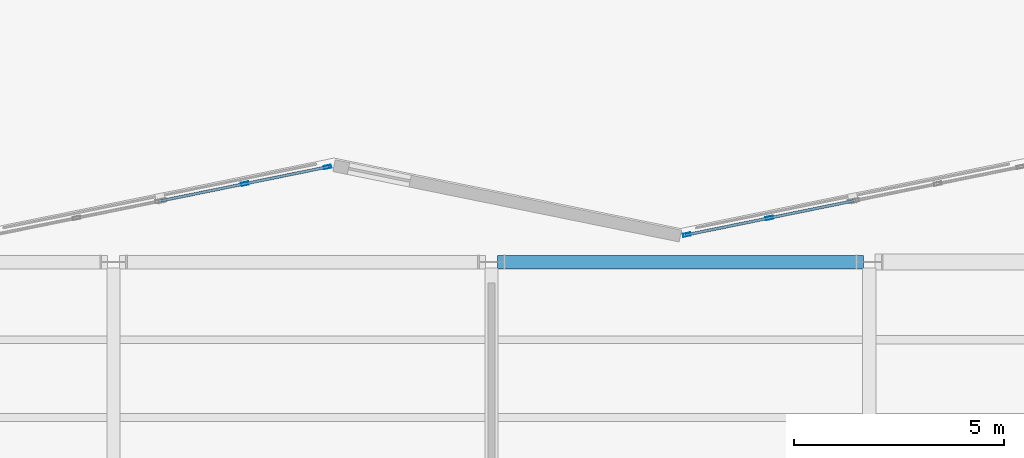
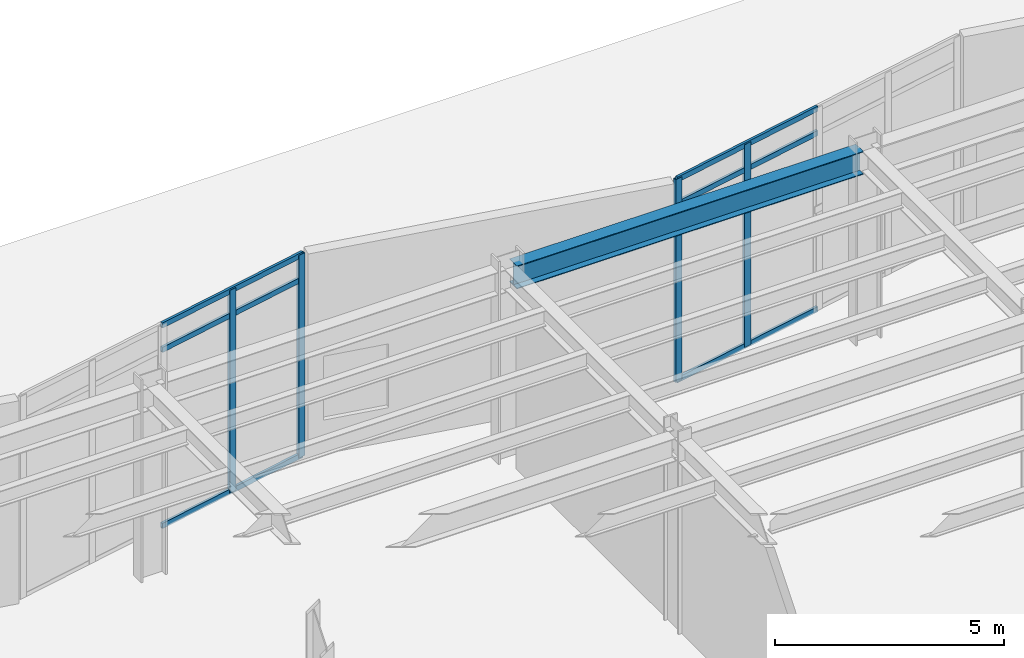
# One storey, part 58 of 94: 10 members, 1 beam, 2 elements without a shape of their own.
"""IFC4 building model written with IfcOpenShell, lengths in metres."""

from ifc_helpers import new_model, si_unit, direction, frame, origin, origin_2d, place, context, subcontext, project, spatial, hollow_rectangle, i_section, extrude, material, layer, layer_set, material_profile, profile_set, type_object, element, aggregate, save


model = new_model("IFC4")

# Units and contexts
model_context = context("Model", 3, precision=1e-05, world=origin(), true_north=direction((0.0, 1.0)))
body_context = subcontext(model_context, "Body", "Model", "MODEL_VIEW")
ifc_project = project(units=[si_unit("LENGTHUNIT", "METRE"), si_unit("AREAUNIT", "SQUARE_METRE"), si_unit("VOLUMEUNIT", "CUBIC_METRE"), si_unit("PLANEANGLEUNIT", "RADIAN"), si_unit("MASSUNIT", "GRAM", prefix="KILO")], contexts=[model_context])

# Site, building, storey
site_placement = place(None, origin())
site = spatial("IfcSite", under=ifc_project, at=site_placement, CompositionType="ELEMENT")
building_placement = place(site_placement, origin())
building = spatial("IfcBuilding", under=site, at=building_placement, Name="Sollismere Congress Hotel", CompositionType="ELEMENT")
storey_placement = place(building_placement, origin())
storey = spatial("IfcBuildingStorey", under=building, at=storey_placement, Name="L00", CompositionType="ELEMENT", Elevation=0.0)

# Beam
ifc_material_1 = material(Name="Steel ASTM A992 Grade 50", Category="steel")
ifc_material_profile_1 = material_profile(ifc_material_1, i_section(OverallWidth=0.324951171875, OverallDepth=0.612060546875, WebThickness=0.0126953125, FlangeThickness=0.01904296875, at=origin_2d()), Name="W24X104")
ifc_profile_set_1 = profile_set([ifc_material_profile_1], Name="Steel ASTM A992 Grade 50")
beam_type = type_object("IfcBeamType", Name="BM-G24", PredefinedType="BEAM", material=ifc_profile_set_1)
beam_placement = place(storey_placement, frame((103.139892578125, 102.39990234375, 4.80908203125), z_axis=(1.0, 0.0, 0.0), x_axis=(0.0, 1.0, 0.0)))
element("IfcBeam", 1, at=beam_placement, inside=storey, type_object=beam_type, Name="Beam BM-L00-1221", PredefinedType="BEAM", context=body_context, shape_type="SweptSolid", body=[
    extrude(i_section(OverallWidth=0.324951171875, OverallDepth=0.612060546875, WebThickness=0.0126953125, FlangeThickness=0.01904296875, at=origin_2d()), origin(), (0.0, 0.0, 1.0), 8.72021484375),
])

# Curtain wall, members
ifc_material_2 = material(Name="Anodized Bronze Curtain Wall & Low-E Triple Glazing", Category="glass")
ifc_layer = layer(ifc_material_2, 0.199951171875, Name="Anodized Bronze Curtain Wall & Low-E Triple Glazing")
ifc_layer_set = layer_set([ifc_layer], Name="Anodized Bronze Curtain Wall & Low-E Triple Glazing")
curtain_wall_type = type_object("IfcCurtainWallType", Name="CW-GLZ36", PredefinedType="USERDEFINED", material=ifc_layer_set)
curtain_wall_1_placement = place(storey_placement, origin())
curtain_wall_1 = element("IfcCurtainWall", 2, at=curtain_wall_1_placement, inside=storey, type_object=curtain_wall_type, Name="Unitised curtain wall CW-L00-070", ObjectType="UNITISED CURTAIN WALL", PredefinedType="USERDEFINED")
ifc_material_3 = material(Name="Anodized Aluminum 6063-T6", Category="aluminium")
ifc_material_profile_2 = material_profile(ifc_material_3, hollow_rectangle(XDim=0.074951171875, YDim=0.179931640625, WallThickness=0.0048828125, at=origin_2d()), Name="ALU180X75X5")
ifc_profile_set_2 = profile_set([ifc_material_profile_2], Name="Anodized Aluminum 6063-T6")
member_type_1 = type_object("IfcMemberType", Name="ML-CW180", PredefinedType="MULLION", material=ifc_profile_set_2)
member_1_placement = place(storey_placement, frame((97.128662109375, 104.266845703125, 0.0), z_axis=(0.0, 0.0, 1.0), x_axis=(-0.199367934417, 0.979924704621, 0.0)))
member_1 = element("IfcMember", 3, at=member_1_placement, type_object=member_type_1, Name="CWL-CW-L00-070-ML02", PredefinedType="MULLION", context=body_context, shape_type="SweptSolid", body=[
    extrude(hollow_rectangle(XDim=0.074951171875, YDim=0.179931640625, WallThickness=0.0048828125, at=origin_2d()), origin(), (0.0, 0.0, 1.0), 5.39990234375),
])
member_2_placement = place(storey_placement, frame((99.09521484375, 104.6669921875, 0.0), z_axis=(0.0, 0.0, 1.0), x_axis=(-0.199367934417, 0.979924704621, 0.0)))
member_2 = element("IfcMember", 4, at=member_2_placement, type_object=member_type_1, Name="CWL-CW-L00-070-ML03", PredefinedType="MULLION", context=body_context, shape_type="SweptSolid", body=[
    extrude(hollow_rectangle(XDim=0.074951171875, YDim=0.179931640625, WallThickness=0.0048828125, at=origin_2d()), origin(), (0.0, 0.0, 1.0), 5.39990234375),
])

curtain_wall_2_placement = place(storey_placement, origin())
curtain_wall_2 = element("IfcCurtainWall", 5, at=curtain_wall_2_placement, inside=storey, type_object=curtain_wall_type, Name="Unitised curtain wall CW-L00-071", ObjectType="UNITISED CURTAIN WALL", PredefinedType="USERDEFINED")
member_3_placement = place(storey_placement, frame((107.65478515625, 103.051513671875, 0.0), z_axis=(0.0, 0.0, 1.0), x_axis=(-0.199367934417, 0.979924704621, 0.0)))
member_3 = element("IfcMember", 6, at=member_3_placement, type_object=member_type_1, Name="CWL-CW-L00-071-ML01", PredefinedType="MULLION", context=body_context, shape_type="SweptSolid", body=[
    extrude(hollow_rectangle(XDim=0.074951171875, YDim=0.179931640625, WallThickness=0.0048828125, at=origin_2d()), origin(), (0.0, 0.0, 1.0), 5.39990234375),
])
member_4_placement = place(storey_placement, frame((109.621337890625, 103.45166015625, 0.0), z_axis=(0.0, 0.0, 1.0), x_axis=(-0.199367934417, 0.979924704621, 0.0)))
member_4 = element("IfcMember", 7, at=member_4_placement, type_object=member_type_1, Name="CWL-CW-L00-071-ML02", PredefinedType="MULLION", context=body_context, shape_type="SweptSolid", body=[
    extrude(hollow_rectangle(XDim=0.074951171875, YDim=0.179931640625, WallThickness=0.0048828125, at=origin_2d()), origin(), (0.0, 0.0, 1.0), 5.39990234375),
])

# Member
ifc_material_profile_3 = material_profile(ifc_material_3, hollow_rectangle(XDim=0.06494140625, YDim=0.139892578125, WallThickness=0.00390625, at=origin_2d()), Name="ALU140X65X4")
ifc_profile_set_3 = profile_set([ifc_material_profile_3], Name="Anodized Aluminum 6063-T6")
member_type_2 = type_object("IfcMemberType", Name="TR-CW150", PredefinedType="MEMBER", material=ifc_profile_set_3)
member_5_placement = place(storey_placement, frame((95.125, 103.859375, 0.032470703125), z_axis=(0.979930139944, 0.199341217087, 0.0), x_axis=(-0.199341217087, 0.979930139944, 0.0)))
member_5 = element("IfcMember", 8, at=member_5_placement, type_object=member_type_2, Name="CWL-CW-L00-070-TR1", PredefinedType="MEMBER", context=body_context, shape_type="SweptSolid", body=[
    extrude(hollow_rectangle(XDim=0.06494140625, YDim=0.139892578125, WallThickness=0.00390625, at=origin_2d()), origin(), (0.0, 0.0, 1.0), 4.08935546875),
])

member_6_placement = place(storey_placement, frame((95.125, 103.859375, 4.719970703125), z_axis=(0.979930139944, 0.199341217087, 0.0), x_axis=(-0.199341217087, 0.979930139944, 0.0)))
member_6 = element("IfcMember", 9, at=member_6_placement, type_object=member_type_2, Name="CWL-CW-L00-070-TR2", PredefinedType="MEMBER", context=body_context, shape_type="SweptSolid", body=[
    extrude(hollow_rectangle(XDim=0.06494140625, YDim=0.139892578125, WallThickness=0.00390625, at=origin_2d()), origin(), (0.0, 0.0, 1.0), 4.08935546875),
])

member_7_placement = place(storey_placement, frame((95.125, 103.859375, 5.367431640625), z_axis=(0.979930139944, 0.199341217087, 0.0), x_axis=(-0.199341217087, 0.979930139944, 0.0)))
member_7 = element("IfcMember", 10, at=member_7_placement, type_object=member_type_2, Name="CWL-CW-L00-070-TR3", PredefinedType="MEMBER", context=body_context, shape_type="SweptSolid", body=[
    extrude(hollow_rectangle(XDim=0.06494140625, YDim=0.139892578125, WallThickness=0.00390625, at=origin_2d()), origin(), (0.0, 0.0, 1.0), 4.08935546875),
])

aggregate(curtain_wall_1, [member_1, member_2, member_5, member_6, member_7])

member_8_placement = place(storey_placement, frame((107.61767578125, 103.0439453125, 0.032470703125), z_axis=(0.979918476409, 0.199398544609, 0.0), x_axis=(-0.199398544609, 0.979918476409, 0.0)))
member_8 = element("IfcMember", 11, at=member_8_placement, type_object=member_type_2, Name="CWL-CW-L00-071-TR1", PredefinedType="MEMBER", context=body_context, shape_type="SweptSolid", body=[
    extrude(hollow_rectangle(XDim=0.06494140625, YDim=0.139892578125, WallThickness=0.00390625, at=origin_2d()), origin(), (0.0, 0.0, 1.0), 4.08935546875),
])

member_9_placement = place(storey_placement, frame((107.61767578125, 103.0439453125, 4.719970703125), z_axis=(0.979918476409, 0.199398544609, 0.0), x_axis=(-0.199398544609, 0.979918476409, 0.0)))
member_9 = element("IfcMember", 12, at=member_9_placement, type_object=member_type_2, Name="CWL-CW-L00-071-TR2", PredefinedType="MEMBER", context=body_context, shape_type="SweptSolid", body=[
    extrude(hollow_rectangle(XDim=0.06494140625, YDim=0.139892578125, WallThickness=0.00390625, at=origin_2d()), origin(), (0.0, 0.0, 1.0), 4.08935546875),
])

member_10_placement = place(storey_placement, frame((107.61767578125, 103.0439453125, 5.367431640625), z_axis=(0.979918476409, 0.199398544609, 0.0), x_axis=(-0.199398544609, 0.979918476409, 0.0)))
member_10 = element("IfcMember", 13, at=member_10_placement, type_object=member_type_2, Name="CWL-CW-L00-071-TR3", PredefinedType="MEMBER", context=body_context, shape_type="SweptSolid", body=[
    extrude(hollow_rectangle(XDim=0.06494140625, YDim=0.139892578125, WallThickness=0.00390625, at=origin_2d()), origin(), (0.0, 0.0, 1.0), 4.08935546875),
])

aggregate(curtain_wall_2, [member_3, member_4, member_8, member_9, member_10])

save(model, "model.ifc")
